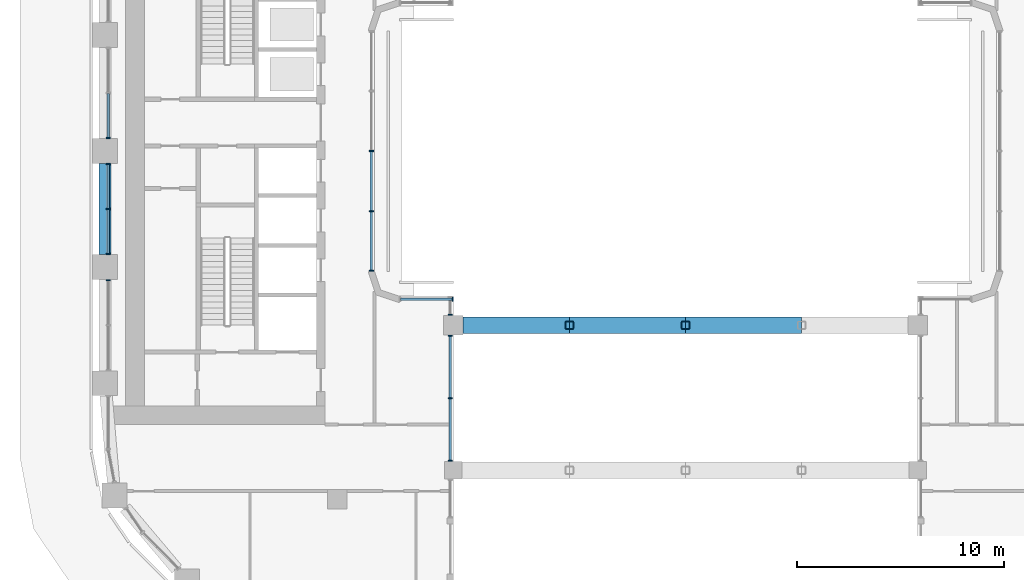
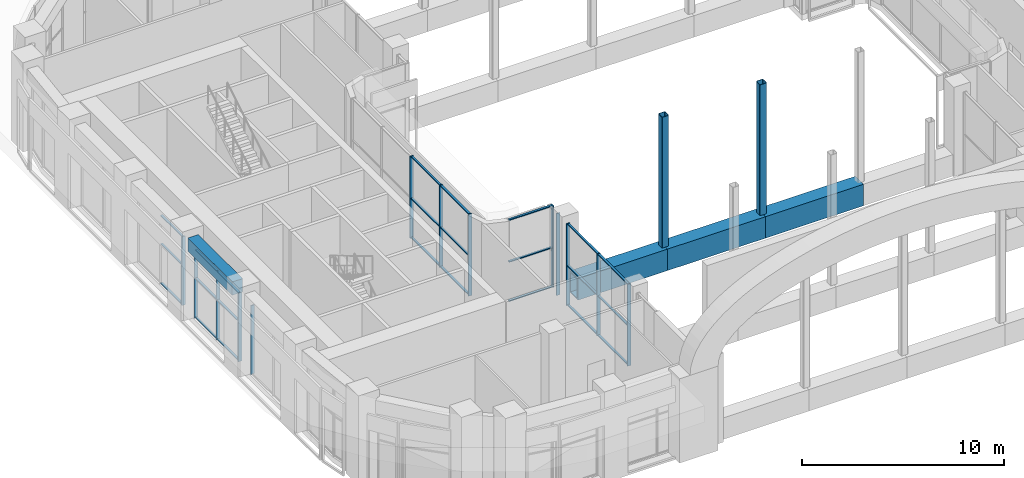
# One storey, part 3 of 28: 42 members, 1 beam, 7 elements without a shape of their own.
"""IFC4 building model written with IfcOpenShell, lengths in metres."""

from ifc_helpers import new_model, si_unit, direction, frame, origin, origin_2d, place, context, subcontext, project, spatial, rectangle, hollow_rectangle, extrude, material, layer, layer_set, material_profile, profile_set, type_object, element, aggregate, save


model = new_model("IFC4")

# Units and contexts
model_context = context("Model", 3, precision=1e-05, world=origin(), true_north=direction((0.0, 1.0)))
body_context = subcontext(model_context, "Body", "Model", "MODEL_VIEW")
ifc_project = project(units=[si_unit("LENGTHUNIT", "METRE"), si_unit("AREAUNIT", "SQUARE_METRE"), si_unit("VOLUMEUNIT", "CUBIC_METRE"), si_unit("PLANEANGLEUNIT", "RADIAN"), si_unit("MASSUNIT", "GRAM", prefix="KILO")], contexts=[model_context])

# Site, building, storey
site_placement = place(None, origin())
site = spatial("IfcSite", under=ifc_project, at=site_placement, CompositionType="ELEMENT")
building_placement = place(site_placement, origin())
building = spatial("IfcBuilding", under=site, at=building_placement, Name="Kiln Ring Residences", CompositionType="ELEMENT")
storey_placement = place(building_placement, frame((0.0, 0.0, 125.300048828125)))
storey = spatial("IfcBuildingStorey", under=building, at=storey_placement, Name="L32", CompositionType="ELEMENT", Elevation=125.300048828125)

# Members
ifc_material_1 = material(Name="Steel S460", Category="steel")
ifc_material_profile_1 = material_profile(ifc_material_1, hollow_rectangle(XDim=0.800048828125, YDim=1.300048828125, WallThickness=0.070068359375, at=origin_2d()), Name="BOX1300x800x70")
ifc_profile_set_1 = profile_set([ifc_material_profile_1], Name="Steel S460")
member_type_1 = type_object("IfcMemberType", Name="Bridge truss chord BOX1300x800x70 S460", PredefinedType="CHORD", material=ifc_profile_set_1)
member_1_placement = place(storey_placement, frame((-10.72509765625, -8.39990234375, 0.64990234375), z_axis=(1.0, 0.0, 0.0), x_axis=(0.0, 1.0, 0.0)))
element("IfcMember", 1, at=member_1_placement, inside=storey, type_object=member_type_1, Name="Bridge truss chord L32 9", PredefinedType="CHORD", context=body_context, shape_type="SweptSolid", body=[
    extrude(hollow_rectangle(XDim=0.800048828125, YDim=1.300048828125, WallThickness=0.070068359375, at=origin_2d()), origin(), (0.0, 0.0, 1.0), 5.125),
])
for number, where, z_axis, x_axis, name in (
    (2, (-5.60009765625, -8.39990234375, 0.64990234375), (1.0, 0.0, 0.0), (0.0, 1.0, 0.0), "Bridge truss chord L32 10"),
    (3, (0.0, -8.39990234375, 0.64990234375), (1.0, 0.0, 0.0), (0.0, 1.0, 0.0), "Bridge truss chord L32 11"),
):
    element("IfcMember", number, at=place(storey_placement, frame(where, z_axis=z_axis, x_axis=x_axis)), inside=storey, type_object=member_type_1, Name=name, PredefinedType="CHORD", context=body_context, shape_type="SweptSolid", body=[
        extrude(hollow_rectangle(XDim=0.800048828125, YDim=1.300048828125, WallThickness=0.070068359375, at=origin_2d()), origin(), (0.0, 0.0, 1.0), 5.60009765625),
    ])
ifc_material_2 = material(Name="Steel S355", Category="steel")
ifc_material_profile_2 = material_profile(ifc_material_2, hollow_rectangle(XDim=0.39990234375, YDim=0.39990234375, WallThickness=0.02490234375, InnerFilletRadius=0.02490234375, OuterFilletRadius=0.0625, at=origin_2d()), Name="SHS400x400x25")
ifc_profile_set_2 = profile_set([ifc_material_profile_2], Name="Steel S355")
member_type_2 = type_object("IfcMemberType", Name="Bridge truss post SHS400x400x25 S355", PredefinedType="POST", material=ifc_profile_set_2)
for number, where, z_axis, x_axis, name in (
    (4, (-5.60009765625, -8.39990234375, 1.300048828125), (0.0, 0.0, 1.0), (1.0, 0.0, 0.0), "Bridge truss post L32 7"),
    (5, (0.0, -8.39990234375, 1.300048828125), (0.0, 0.0, 1.0), (1.0, 0.0, 0.0), "Bridge truss post L32 8"),
):
    element("IfcMember", number, at=place(storey_placement, frame(where, z_axis=z_axis, x_axis=x_axis)), inside=storey, type_object=member_type_2, Name=name, PredefinedType="POST", context=body_context, shape_type="SweptSolid", body=[
        extrude(hollow_rectangle(XDim=0.39990234375, YDim=0.39990234375, WallThickness=0.02490234375, InnerFilletRadius=0.02490234375, OuterFilletRadius=0.0625, at=origin_2d()), origin(), (0.0, 0.0, 1.0), 7.89990234375),
    ])

# Curtain wall, members
ifc_material_3 = material(Name="Aluminium and glass", Category="aluminium")
ifc_layer = layer(ifc_material_3, 0.199951171875)
ifc_layer_set = layer_set([ifc_layer], Name="CW1 CURTAIN WALL")
curtain_wall_type = type_object("IfcCurtainWallType", Name="CW1 CURTAIN WALL", PredefinedType="NOTDEFINED", material=ifc_layer_set)
placement = place(storey_placement, origin())
curtain_wall_1 = element("IfcCurtainWall", 6, at=placement, inside=storey, type_object=curtain_wall_type, Name="Curtain wall CW1 L32", PredefinedType="NOTDEFINED")
ifc_material_4 = material(Name="Aluminium 6063-T6", Category="aluminium")
ifc_material_profile_3 = material_profile(ifc_material_4, rectangle(XDim=0.199951171875, YDim=0.06005859375, at=origin_2d()), Name="AL 200x60")
ifc_profile_set_3 = profile_set([ifc_material_profile_3], Name="Aluminium 6063-T6")
member_type_3 = type_object("IfcMemberType", Name="CW1 MULLION 200 x 60", PredefinedType="MULLION", material=ifc_profile_set_3)
member_2_placement = place(storey_placement, frame((-11.35009765625, -14.945068359375, 0.0), z_axis=(0.0, 0.0, 1.0), x_axis=(-1.0, 0.0, 0.0)))
member_2 = element("IfcMember", 7, at=member_2_placement, type_object=member_type_3, Name="CW1 mullion 1", PredefinedType="MULLION", context=body_context, shape_type="SweptSolid", body=[
    extrude(rectangle(XDim=0.199951171875, YDim=0.06005859375, at=origin_2d()), origin(), (0.0, 0.0, 1.0), 4.949951171875),
])
member_3_placement = place(storey_placement, frame((-11.35009765625, -11.925048828125, 0.0), z_axis=(0.0, 0.0, 1.0), x_axis=(-1.0, 0.0, 0.0)))
member_3 = element("IfcMember", 8, at=member_3_placement, type_object=member_type_3, Name="CW1 mullion 2", PredefinedType="MULLION", context=body_context, shape_type="SweptSolid", body=[
    extrude(rectangle(XDim=0.199951171875, YDim=0.06005859375, at=origin_2d()), origin(), (0.0, 0.0, 1.0), 4.949951171875),
])
member_4_placement = place(storey_placement, frame((-11.35009765625, -8.905029296875, 0.0), z_axis=(0.0, 0.0, 1.0), x_axis=(-1.0, 0.0, 0.0)))
member_4 = element("IfcMember", 9, at=member_4_placement, type_object=member_type_3, Name="CW1 mullion 3", PredefinedType="MULLION", context=body_context, shape_type="SweptSolid", body=[
    extrude(rectangle(XDim=0.199951171875, YDim=0.06005859375, at=origin_2d()), origin(), (0.0, 0.0, 1.0), 4.949951171875),
])

# Curtain wall, member
curtain_wall_2 = element("IfcCurtainWall", 10, at=placement, inside=storey, type_object=curtain_wall_type, Name="Curtain wall CW1 L32", PredefinedType="NOTDEFINED")
member_5_placement = place(storey_placement, frame((-11.35009765625, -7.89501953125, 0.0), z_axis=(0.0, 0.0, 1.0), x_axis=(-1.0, 0.0, 0.0)))
member_5 = element("IfcMember", 11, at=member_5_placement, type_object=member_type_3, Name="CW1 mullion 1", PredefinedType="MULLION", context=body_context, shape_type="SweptSolid", body=[
    extrude(rectangle(XDim=0.199951171875, YDim=0.06005859375, at=origin_2d()), origin(), (0.0, 0.0, 1.0), 4.949951171875),
])
aggregate(curtain_wall_2, [member_5])

curtain_wall_3 = element("IfcCurtainWall", 12, at=placement, inside=storey, type_object=curtain_wall_type, Name="Curtain wall CW1 L32", PredefinedType="NOTDEFINED")
member_6_placement = place(storey_placement, frame((-11.22998046875, -7.14990234375, 0.0), z_axis=(0.0, 0.0, 1.0), x_axis=(0.0, -1.0, 0.0)))
member_6 = element("IfcMember", 13, at=member_6_placement, type_object=member_type_3, Name="CW1 mullion 1", PredefinedType="MULLION", context=body_context, shape_type="SweptSolid", body=[
    extrude(rectangle(XDim=0.199951171875, YDim=0.06005859375, at=origin_2d()), origin(), (0.0, 0.0, 1.0), 4.949951171875),
])

# Curtain wall, members
curtain_wall_4 = element("IfcCurtainWall", 14, at=placement, inside=storey, type_object=curtain_wall_type, Name="Curtain wall CW1 L32", PredefinedType="NOTDEFINED")
member_7_placement = place(storey_placement, frame((-15.14990234375, -5.77001953125, 0.0), z_axis=(0.0, 0.0, 1.0), x_axis=(-1.0, 0.0, 0.0)))
member_7 = element("IfcMember", 15, at=member_7_placement, type_object=member_type_3, Name="CW1 mullion 1", PredefinedType="MULLION", context=body_context, shape_type="SweptSolid", body=[
    extrude(rectangle(XDim=0.199951171875, YDim=0.06005859375, at=origin_2d()), origin(), (0.0, 0.0, 1.0), 4.949951171875),
])
member_8_placement = place(storey_placement, frame((-15.14990234375, -2.89990234375, 0.0), z_axis=(0.0, 0.0, 1.0), x_axis=(-1.0, 0.0, 0.0)))
member_8 = element("IfcMember", 16, at=member_8_placement, type_object=member_type_3, Name="CW1 mullion 2", PredefinedType="MULLION", context=body_context, shape_type="SweptSolid", body=[
    extrude(rectangle(XDim=0.199951171875, YDim=0.06005859375, at=origin_2d()), origin(), (0.0, 0.0, 1.0), 4.949951171875),
])
member_9_placement = place(storey_placement, frame((-15.14990234375, 0.0, 0.0), z_axis=(0.0, 0.0, 1.0), x_axis=(-1.0, 0.0, 0.0)))
member_9 = element("IfcMember", 17, at=member_9_placement, type_object=member_type_3, Name="CW1 mullion 3", PredefinedType="MULLION", context=body_context, shape_type="SweptSolid", body=[
    extrude(rectangle(XDim=0.199951171875, YDim=0.06005859375, at=origin_2d()), origin(), (0.0, 0.0, 1.0), 4.949951171875),
])

# Curtain wall, member
curtain_wall_5 = element("IfcCurtainWall", 18, at=placement, inside=storey, type_object=curtain_wall_type, Name="Curtain wall CW1 L32", PredefinedType="NOTDEFINED")
member_10_placement = place(storey_placement, frame((-27.85009765625, 0.6298828125, 0.0), z_axis=(0.0, 0.0, 1.0), x_axis=(1.0, 0.0, 0.0)))
member_10 = element("IfcMember", 19, at=member_10_placement, type_object=member_type_3, Name="CW1 mullion 3", PredefinedType="MULLION", context=body_context, shape_type="SweptSolid", body=[
    extrude(rectangle(XDim=0.199951171875, YDim=0.06005859375, at=origin_2d()), origin(), (0.0, 0.0, 1.0), 4.14990234375),
])

# Curtain wall, members
curtain_wall_6 = element("IfcCurtainWall", 20, at=placement, inside=storey, type_object=curtain_wall_type, Name="Curtain wall CW1 L32", PredefinedType="NOTDEFINED")
member_11_placement = place(storey_placement, frame((-27.85009765625, -0.6298828125, 0.0), z_axis=(0.0, 0.0, 1.0), x_axis=(1.0, 0.0, 0.0)))
member_11 = element("IfcMember", 21, at=member_11_placement, type_object=member_type_3, Name="CW1 mullion 1", PredefinedType="MULLION", context=body_context, shape_type="SweptSolid", body=[
    extrude(rectangle(XDim=0.199951171875, YDim=0.06005859375, at=origin_2d()), origin(), (0.0, 0.0, 1.0), 4.14990234375),
])
member_12_placement = place(storey_placement, frame((-27.85009765625, -2.800048828125, 0.0), z_axis=(0.0, 0.0, 1.0), x_axis=(1.0, 0.0, 0.0)))
member_12 = element("IfcMember", 22, at=member_12_placement, type_object=member_type_3, Name="CW1 mullion 2", PredefinedType="MULLION", context=body_context, shape_type="SweptSolid", body=[
    extrude(rectangle(XDim=0.199951171875, YDim=0.06005859375, at=origin_2d()), origin(), (0.0, 0.0, 1.0), 4.14990234375),
])
member_13_placement = place(storey_placement, frame((-27.85009765625, -4.969970703125, 0.0), z_axis=(0.0, 0.0, 1.0), x_axis=(1.0, 0.0, 0.0)))
member_13 = element("IfcMember", 23, at=member_13_placement, type_object=member_type_3, Name="CW1 mullion 3", PredefinedType="MULLION", context=body_context, shape_type="SweptSolid", body=[
    extrude(rectangle(XDim=0.199951171875, YDim=0.06005859375, at=origin_2d()), origin(), (0.0, 0.0, 1.0), 4.14990234375),
])

# Curtain wall, member
curtain_wall_7 = element("IfcCurtainWall", 24, at=placement, inside=storey, type_object=curtain_wall_type, Name="Curtain wall CW1 L32", PredefinedType="NOTDEFINED")
member_14_placement = place(storey_placement, frame((-27.85009765625, -6.22998046875, 0.0), z_axis=(0.0, 0.0, 1.0), x_axis=(1.0, 0.0, 0.0)))
member_14 = element("IfcMember", 25, at=member_14_placement, type_object=member_type_3, Name="CW1 mullion 1", PredefinedType="MULLION", context=body_context, shape_type="SweptSolid", body=[
    extrude(rectangle(XDim=0.199951171875, YDim=0.06005859375, at=origin_2d()), origin(), (0.0, 0.0, 1.0), 4.14990234375),
])
aggregate(curtain_wall_7, [member_14])

# Member
ifc_material_5 = material(Name="Aluminium 6063-T6", Category="aluminium")
ifc_material_profile_4 = material_profile(ifc_material_5, rectangle(XDim=0.1201171875, YDim=0.06005859375, at=origin_2d()), Name="AL 120x60")
ifc_profile_set_4 = profile_set([ifc_material_profile_4], Name="Aluminium 6063-T6")
member_type_4 = type_object("IfcMemberType", Name="CW1 TRANSOM 120 x 60", PredefinedType="USERDEFINED", material=ifc_profile_set_4)
member_15_placement = place(storey_placement, frame((-11.35009765625, -14.9150390625, 0.030029296875), z_axis=(0.0, 1.0, 0.0), x_axis=(-1.0, 0.0, 0.0)))
member_15 = element("IfcMember", 26, at=member_15_placement, type_object=member_type_4, Name="CW1 transom 1.1", ObjectType="TRANSOM", PredefinedType="USERDEFINED", context=body_context, shape_type="SweptSolid", body=[
    extrude(rectangle(XDim=0.1201171875, YDim=0.06005859375, at=origin_2d()), origin(), (0.0, 0.0, 1.0), 2.9599609375),
])

member_16_placement = place(storey_placement, frame((-11.35009765625, -14.9150390625, 2.39990234375), z_axis=(0.0, 1.0, 0.0), x_axis=(-1.0, 0.0, 0.0)))
member_16 = element("IfcMember", 27, at=member_16_placement, type_object=member_type_4, Name="CW1 transom 1.2", ObjectType="TRANSOM", PredefinedType="USERDEFINED", context=body_context, shape_type="SweptSolid", body=[
    extrude(rectangle(XDim=0.1201171875, YDim=0.06005859375, at=origin_2d()), origin(), (0.0, 0.0, 1.0), 2.9599609375),
])

member_17_placement = place(storey_placement, frame((-11.35009765625, -14.9150390625, 4.919921875), z_axis=(0.0, 1.0, 0.0), x_axis=(-1.0, 0.0, 0.0)))
member_17 = element("IfcMember", 28, at=member_17_placement, type_object=member_type_4, Name="CW1 transom 1.3", ObjectType="TRANSOM", PredefinedType="USERDEFINED", context=body_context, shape_type="SweptSolid", body=[
    extrude(rectangle(XDim=0.1201171875, YDim=0.06005859375, at=origin_2d()), origin(), (0.0, 0.0, 1.0), 2.9599609375),
])

member_18_placement = place(storey_placement, frame((-11.35009765625, -11.89501953125, 0.030029296875), z_axis=(0.0, 1.0, 0.0), x_axis=(-1.0, 0.0, 0.0)))
member_18 = element("IfcMember", 29, at=member_18_placement, type_object=member_type_4, Name="CW1 transom 2.1", ObjectType="TRANSOM", PredefinedType="USERDEFINED", context=body_context, shape_type="SweptSolid", body=[
    extrude(rectangle(XDim=0.1201171875, YDim=0.06005859375, at=origin_2d()), origin(), (0.0, 0.0, 1.0), 2.9599609375),
])

member_19_placement = place(storey_placement, frame((-11.35009765625, -11.89501953125, 2.39990234375), z_axis=(0.0, 1.0, 0.0), x_axis=(-1.0, 0.0, 0.0)))
member_19 = element("IfcMember", 30, at=member_19_placement, type_object=member_type_4, Name="CW1 transom 2.2", ObjectType="TRANSOM", PredefinedType="USERDEFINED", context=body_context, shape_type="SweptSolid", body=[
    extrude(rectangle(XDim=0.1201171875, YDim=0.06005859375, at=origin_2d()), origin(), (0.0, 0.0, 1.0), 2.9599609375),
])

member_20_placement = place(storey_placement, frame((-11.35009765625, -11.89501953125, 4.919921875), z_axis=(0.0, 1.0, 0.0), x_axis=(-1.0, 0.0, 0.0)))
member_20 = element("IfcMember", 31, at=member_20_placement, type_object=member_type_4, Name="CW1 transom 2.3", ObjectType="TRANSOM", PredefinedType="USERDEFINED", context=body_context, shape_type="SweptSolid", body=[
    extrude(rectangle(XDim=0.1201171875, YDim=0.06005859375, at=origin_2d()), origin(), (0.0, 0.0, 1.0), 2.9599609375),
])

aggregate(curtain_wall_1, [member_2, member_3, member_4, member_15, member_16, member_17, member_18, member_19, member_20])

member_21_placement = place(storey_placement, frame((-11.260009765625, -7.14990234375, 0.030029296875), z_axis=(-1.0, 0.0, 0.0), x_axis=(0.0, -1.0, 0.0)))
member_21 = element("IfcMember", 32, at=member_21_placement, type_object=member_type_4, Name="CW1 transom 1.1", ObjectType="TRANSOM", PredefinedType="USERDEFINED", context=body_context, shape_type="SweptSolid", body=[
    extrude(rectangle(XDim=0.1201171875, YDim=0.06005859375, at=origin_2d()), origin(), (0.0, 0.0, 1.0), 2.47998046875),
])

member_22_placement = place(storey_placement, frame((-11.260009765625, -7.14990234375, 2.39990234375), z_axis=(-1.0, 0.0, 0.0), x_axis=(0.0, -1.0, 0.0)))
member_22 = element("IfcMember", 33, at=member_22_placement, type_object=member_type_4, Name="CW1 transom 1.2", ObjectType="TRANSOM", PredefinedType="USERDEFINED", context=body_context, shape_type="SweptSolid", body=[
    extrude(rectangle(XDim=0.1201171875, YDim=0.06005859375, at=origin_2d()), origin(), (0.0, 0.0, 1.0), 2.47998046875),
])

member_23_placement = place(storey_placement, frame((-11.260009765625, -7.14990234375, 4.919921875), z_axis=(-1.0, 0.0, 0.0), x_axis=(0.0, -1.0, 0.0)))
member_23 = element("IfcMember", 34, at=member_23_placement, type_object=member_type_4, Name="CW1 transom 1.3", ObjectType="TRANSOM", PredefinedType="USERDEFINED", context=body_context, shape_type="SweptSolid", body=[
    extrude(rectangle(XDim=0.1201171875, YDim=0.06005859375, at=origin_2d()), origin(), (0.0, 0.0, 1.0), 2.47998046875),
])

aggregate(curtain_wall_3, [member_6, member_21, member_22, member_23])

member_24_placement = place(storey_placement, frame((-15.14990234375, -5.739990234375, 0.030029296875), z_axis=(0.0, 1.0, 0.0), x_axis=(-1.0, 0.0, 0.0)))
member_24 = element("IfcMember", 35, at=member_24_placement, type_object=member_type_4, Name="CW1 transom 1.1", ObjectType="TRANSOM", PredefinedType="USERDEFINED", context=body_context, shape_type="SweptSolid", body=[
    extrude(rectangle(XDim=0.1201171875, YDim=0.06005859375, at=origin_2d()), origin(), (0.0, 0.0, 1.0), 2.81005859375),
])

member_25_placement = place(storey_placement, frame((-15.14990234375, -5.739990234375, 2.39990234375), z_axis=(0.0, 1.0, 0.0), x_axis=(-1.0, 0.0, 0.0)))
member_25 = element("IfcMember", 36, at=member_25_placement, type_object=member_type_4, Name="CW1 transom 1.2", ObjectType="TRANSOM", PredefinedType="USERDEFINED", context=body_context, shape_type="SweptSolid", body=[
    extrude(rectangle(XDim=0.1201171875, YDim=0.06005859375, at=origin_2d()), origin(), (0.0, 0.0, 1.0), 2.81005859375),
])

member_26_placement = place(storey_placement, frame((-15.14990234375, -5.739990234375, 4.919921875), z_axis=(0.0, 1.0, 0.0), x_axis=(-1.0, 0.0, 0.0)))
member_26 = element("IfcMember", 37, at=member_26_placement, type_object=member_type_4, Name="CW1 transom 1.3", ObjectType="TRANSOM", PredefinedType="USERDEFINED", context=body_context, shape_type="SweptSolid", body=[
    extrude(rectangle(XDim=0.1201171875, YDim=0.06005859375, at=origin_2d()), origin(), (0.0, 0.0, 1.0), 2.81005859375),
])

member_27_placement = place(storey_placement, frame((-15.14990234375, -2.8701171875, 0.030029296875), z_axis=(0.0, 1.0, 0.0), x_axis=(-1.0, 0.0, 0.0)))
member_27 = element("IfcMember", 38, at=member_27_placement, type_object=member_type_4, Name="CW1 transom 2.1", ObjectType="TRANSOM", PredefinedType="USERDEFINED", context=body_context, shape_type="SweptSolid", body=[
    extrude(rectangle(XDim=0.1201171875, YDim=0.06005859375, at=origin_2d()), origin(), (0.0, 0.0, 1.0), 2.840087890625),
])

member_28_placement = place(storey_placement, frame((-15.14990234375, -2.8701171875, 2.39990234375), z_axis=(0.0, 1.0, 0.0), x_axis=(-1.0, 0.0, 0.0)))
member_28 = element("IfcMember", 39, at=member_28_placement, type_object=member_type_4, Name="CW1 transom 2.2", ObjectType="TRANSOM", PredefinedType="USERDEFINED", context=body_context, shape_type="SweptSolid", body=[
    extrude(rectangle(XDim=0.1201171875, YDim=0.06005859375, at=origin_2d()), origin(), (0.0, 0.0, 1.0), 2.840087890625),
])

member_29_placement = place(storey_placement, frame((-15.14990234375, -2.8701171875, 4.919921875), z_axis=(0.0, 1.0, 0.0), x_axis=(-1.0, 0.0, 0.0)))
member_29 = element("IfcMember", 40, at=member_29_placement, type_object=member_type_4, Name="CW1 transom 2.3", ObjectType="TRANSOM", PredefinedType="USERDEFINED", context=body_context, shape_type="SweptSolid", body=[
    extrude(rectangle(XDim=0.1201171875, YDim=0.06005859375, at=origin_2d()), origin(), (0.0, 0.0, 1.0), 2.840087890625),
])

aggregate(curtain_wall_4, [member_7, member_8, member_9, member_24, member_25, member_26, member_27, member_28, member_29])

member_30_placement = place(storey_placement, frame((-27.85009765625, 2.77001953125, 0.030029296875), z_axis=(0.0, -1.0, 0.0), x_axis=(1.0, 0.0, 0.0)))
member_30 = element("IfcMember", 41, at=member_30_placement, type_object=member_type_4, Name="CW1 transom 2.1", ObjectType="TRANSOM", PredefinedType="USERDEFINED", context=body_context, shape_type="SweptSolid", body=[
    extrude(rectangle(XDim=0.1201171875, YDim=0.06005859375, at=origin_2d()), origin(), (0.0, 0.0, 1.0), 2.110107421875),
])

member_31_placement = place(storey_placement, frame((-27.85009765625, 2.77001953125, 2.39990234375), z_axis=(0.0, -1.0, 0.0), x_axis=(1.0, 0.0, 0.0)))
member_31 = element("IfcMember", 42, at=member_31_placement, type_object=member_type_4, Name="CW1 transom 2.2", ObjectType="TRANSOM", PredefinedType="USERDEFINED", context=body_context, shape_type="SweptSolid", body=[
    extrude(rectangle(XDim=0.1201171875, YDim=0.06005859375, at=origin_2d()), origin(), (0.0, 0.0, 1.0), 2.110107421875),
])

member_32_placement = place(storey_placement, frame((-27.85009765625, 2.77001953125, 4.119873046875), z_axis=(0.0, -1.0, 0.0), x_axis=(1.0, 0.0, 0.0)))
member_32 = element("IfcMember", 43, at=member_32_placement, type_object=member_type_4, Name="CW1 transom 2.3", ObjectType="TRANSOM", PredefinedType="USERDEFINED", context=body_context, shape_type="SweptSolid", body=[
    extrude(rectangle(XDim=0.1201171875, YDim=0.06005859375, at=origin_2d()), origin(), (0.0, 0.0, 1.0), 2.110107421875),
])

aggregate(curtain_wall_5, [member_10, member_30, member_31, member_32])

member_33_placement = place(storey_placement, frame((-27.85009765625, -0.659912109375, 0.030029296875), z_axis=(0.0, -1.0, 0.0), x_axis=(1.0, 0.0, 0.0)))
member_33 = element("IfcMember", 44, at=member_33_placement, type_object=member_type_4, Name="CW1 transom 1.1", ObjectType="TRANSOM", PredefinedType="USERDEFINED", context=body_context, shape_type="SweptSolid", body=[
    extrude(rectangle(XDim=0.1201171875, YDim=0.06005859375, at=origin_2d()), origin(), (0.0, 0.0, 1.0), 2.110107421875),
])

member_34_placement = place(storey_placement, frame((-27.85009765625, -0.659912109375, 2.39990234375), z_axis=(0.0, -1.0, 0.0), x_axis=(1.0, 0.0, 0.0)))
member_34 = element("IfcMember", 45, at=member_34_placement, type_object=member_type_4, Name="CW1 transom 1.2", ObjectType="TRANSOM", PredefinedType="USERDEFINED", context=body_context, shape_type="SweptSolid", body=[
    extrude(rectangle(XDim=0.1201171875, YDim=0.06005859375, at=origin_2d()), origin(), (0.0, 0.0, 1.0), 2.110107421875),
])

member_35_placement = place(storey_placement, frame((-27.85009765625, -0.659912109375, 4.119873046875), z_axis=(0.0, -1.0, 0.0), x_axis=(1.0, 0.0, 0.0)))
member_35 = element("IfcMember", 46, at=member_35_placement, type_object=member_type_4, Name="CW1 transom 1.3", ObjectType="TRANSOM", PredefinedType="USERDEFINED", context=body_context, shape_type="SweptSolid", body=[
    extrude(rectangle(XDim=0.1201171875, YDim=0.06005859375, at=origin_2d()), origin(), (0.0, 0.0, 1.0), 2.110107421875),
])

member_36_placement = place(storey_placement, frame((-27.85009765625, -2.830078125, 0.030029296875), z_axis=(0.0, -1.0, 0.0), x_axis=(1.0, 0.0, 0.0)))
member_36 = element("IfcMember", 47, at=member_36_placement, type_object=member_type_4, Name="CW1 transom 2.1", ObjectType="TRANSOM", PredefinedType="USERDEFINED", context=body_context, shape_type="SweptSolid", body=[
    extrude(rectangle(XDim=0.1201171875, YDim=0.06005859375, at=origin_2d()), origin(), (0.0, 0.0, 1.0), 2.10986328125),
])

member_37_placement = place(storey_placement, frame((-27.85009765625, -2.830078125, 2.39990234375), z_axis=(0.0, -1.0, 0.0), x_axis=(1.0, 0.0, 0.0)))
member_37 = element("IfcMember", 48, at=member_37_placement, type_object=member_type_4, Name="CW1 transom 2.2", ObjectType="TRANSOM", PredefinedType="USERDEFINED", context=body_context, shape_type="SweptSolid", body=[
    extrude(rectangle(XDim=0.1201171875, YDim=0.06005859375, at=origin_2d()), origin(), (0.0, 0.0, 1.0), 2.10986328125),
])

member_38_placement = place(storey_placement, frame((-27.85009765625, -2.830078125, 4.119873046875), z_axis=(0.0, -1.0, 0.0), x_axis=(1.0, 0.0, 0.0)))
member_38 = element("IfcMember", 49, at=member_38_placement, type_object=member_type_4, Name="CW1 transom 2.3", ObjectType="TRANSOM", PredefinedType="USERDEFINED", context=body_context, shape_type="SweptSolid", body=[
    extrude(rectangle(XDim=0.1201171875, YDim=0.06005859375, at=origin_2d()), origin(), (0.0, 0.0, 1.0), 2.10986328125),
])

aggregate(curtain_wall_6, [member_11, member_12, member_13, member_33, member_34, member_35, member_36, member_37, member_38])

# Beam
ifc_material_6 = material(Name="Concrete C50/60", Category="concrete")
ifc_material_profile_5 = material_profile(ifc_material_6, rectangle(XDim=0.60009765625, YDim=0.800048828125, at=origin_2d()), Name="RC600x800")
ifc_profile_set_5 = profile_set([ifc_material_profile_5], Name="Concrete C50/60")
beam_type = type_object("IfcBeamType", Name="Spandrel beam RC600x800 C50/60", PredefinedType="SPANDREL", material=ifc_profile_set_5)
beam_placement = place(storey_placement, frame((-28.0, -0.60009765625, 4.550048828125), z_axis=(0.0, -1.0, 0.0), x_axis=(1.0, 0.0, 0.0)))
element("IfcBeam", 50, at=beam_placement, inside=storey, type_object=beam_type, Name="Spandrel beam L32 21", PredefinedType="SPANDREL", context=body_context, shape_type="SweptSolid", body=[
    extrude(rectangle(XDim=0.60009765625, YDim=0.800048828125, at=origin_2d()), origin(), (0.0, 0.0, 1.0), 4.39990234375),
])

save(model, "model.ifc")
